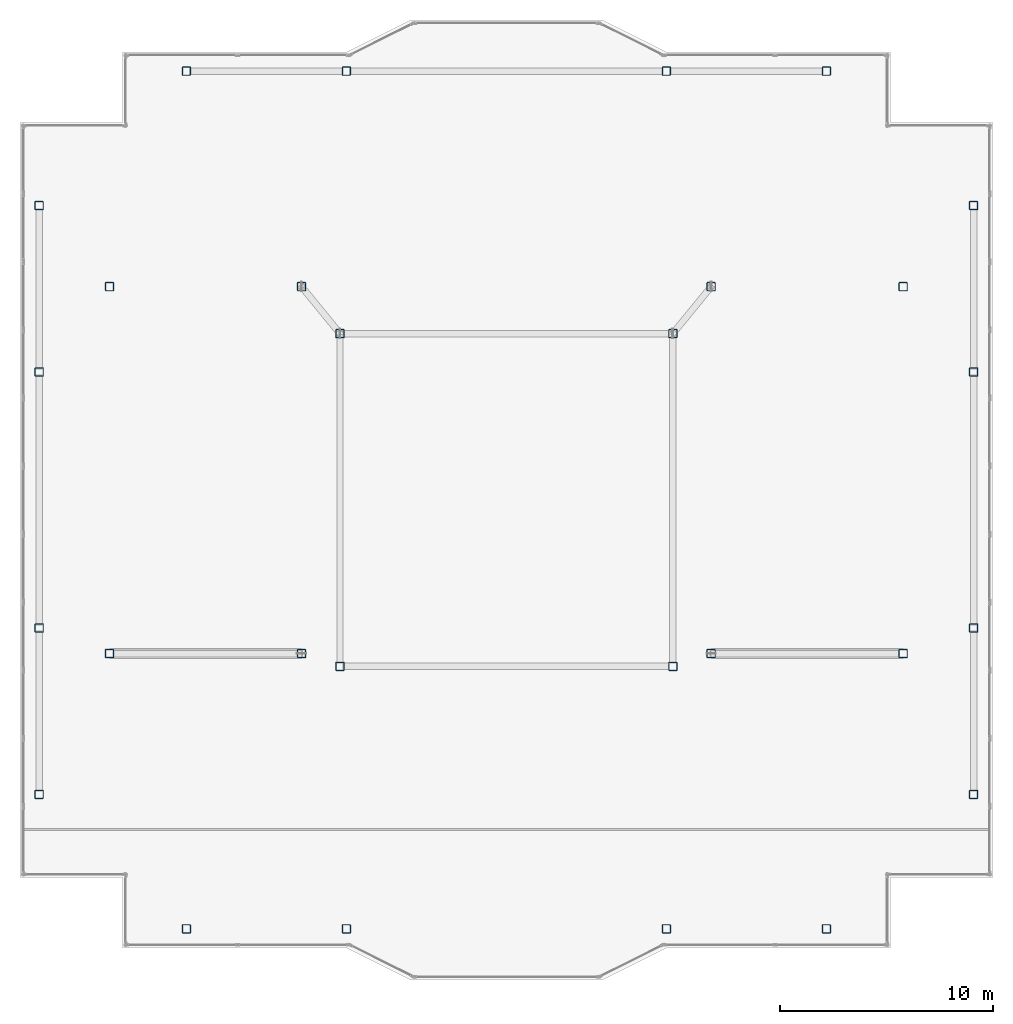
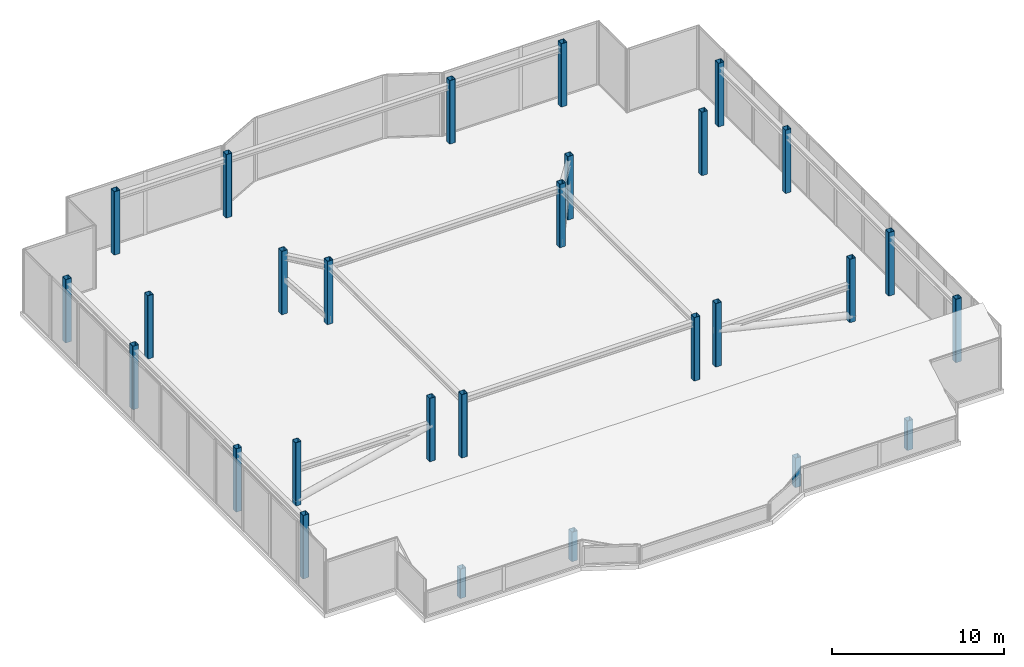
# One storey, part 1 of 16: 28 columns.
"""IFC4 building model written with IfcOpenShell, lengths in metres."""

from ifc_helpers import new_model, si_unit, direction, frame, origin, origin_2d, place, context, subcontext, project, spatial, hollow_rectangle, extrude, material, material_profile, profile_set, type_object, element, save


model = new_model("IFC4")

# Units and contexts
model_context = context("Model", 3, precision=1e-05, world=origin(), true_north=direction((0.0, 1.0)))
body_context = subcontext(model_context, "Body", "Model", "MODEL_VIEW")
ifc_project = project(units=[si_unit("LENGTHUNIT", "METRE"), si_unit("AREAUNIT", "SQUARE_METRE"), si_unit("VOLUMEUNIT", "CUBIC_METRE"), si_unit("PLANEANGLEUNIT", "RADIAN"), si_unit("MASSUNIT", "GRAM", prefix="KILO")], contexts=[model_context])

# Site, building, storey
site_placement = place(None, origin())
site = spatial("IfcSite", under=ifc_project, at=site_placement, CompositionType="ELEMENT")
building_placement = place(site_placement, origin())
building = spatial("IfcBuilding", under=site, at=building_placement, Name="Tarnavaz Court Tower", CompositionType="ELEMENT")
storey_placement = place(building_placement, frame((0.0, 0.0, 290.550048828125)))
storey = spatial("IfcBuildingStorey", under=building, at=storey_placement, Name="C03", CompositionType="ELEMENT", Elevation=290.550048828125)

# Columns
ifc_material = material(Name="Steel S355", Category="steel")
ifc_material_profile = material_profile(ifc_material, hollow_rectangle(XDim=0.39990234375, YDim=0.39990234375, WallThickness=0.02001953125, InnerFilletRadius=0.02001953125, OuterFilletRadius=0.0400390625, at=origin_2d()), Name="SHS 400X400X20")
ifc_profile_set = profile_set([ifc_material_profile], Name="Steel S355")
column_type = type_object("IfcColumnType", Name="CL-CR-SHS300", PredefinedType="USERDEFINED", material=ifc_profile_set)
for number, where, z_axis, x_axis, name in (
    (1, (-7.800048828125, -7.800048828125, 0.0), (0.0, 0.0, 1.0), (1.0, 0.0, 0.0), "C03 Column IW-SW"),
    (2, (7.800048828125, -7.800048828125, 0.0), (0.0, 0.0, 1.0), (1.0, 0.0, 0.0), "C03 Column IW-SE"),
    (3, (-7.800048828125, 7.800048828125, 0.0), (0.0, 0.0, 1.0), (1.0, 0.0, 0.0), "C03 Column IW-NW"),
    (4, (7.800048828125, 7.800048828125, 0.0), (0.0, 0.0, 1.0), (1.0, 0.0, 0.0), "C03 Column IW-NE"),
    (5, (-9.60009765625, -7.199951171875, 0.0), (0.0, 0.0, 1.0), (1.0, 0.0, 0.0), "C03 Column CW-SI"),
    (6, (-9.60009765625, 10.0, 0.0), (0.0, 0.0, 1.0), (1.0, 0.0, 0.0), "C03 Column CW-NI"),
    (7, (9.60009765625, -7.199951171875, 0.0), (0.0, 0.0, 1.0), (1.0, 0.0, 0.0), "C03 Column CE-SI"),
    (8, (9.60009765625, 10.0, 0.0), (0.0, 0.0, 1.0), (1.0, 0.0, 0.0), "C03 Column CE-NI"),
    (9, (-18.60009765625, -7.199951171875, 0.0), (0.0, 0.0, 1.0), (1.0, 0.0, 0.0), "C03 Column CW-SO"),
    (10, (-18.60009765625, 10.0, 0.0), (0.0, 0.0, 1.0), (1.0, 0.0, 0.0), "C03 Column CW-NO"),
    (11, (18.60009765625, -7.199951171875, 0.0), (0.0, 0.0, 1.0), (1.0, 0.0, 0.0), "C03 Column CE-SO"),
    (12, (18.60009765625, 10.0, 0.0), (0.0, 0.0, 1.0), (1.0, 0.0, 0.0), "C03 Column CE-NO"),
    (13, (-15.0, 20.10009765625, 0.0), (0.0, 0.0, 1.0), (1.0, 0.0, 0.0), "C03 Column PN-1"),
    (14, (-7.5, 20.10009765625, 0.0), (0.0, 0.0, 1.0), (1.0, 0.0, 0.0), "C03 Column PN-2"),
    (15, (7.5, 20.10009765625, 0.0), (0.0, 0.0, 1.0), (1.0, 0.0, 0.0), "C03 Column PN-3"),
    (16, (15.0, 20.10009765625, 0.0), (0.0, 0.0, 1.0), (1.0, 0.0, 0.0), "C03 Column PN-4"),
):
    element("IfcColumn", number, at=place(storey_placement, frame(where, z_axis=z_axis, x_axis=x_axis)), inside=storey, type_object=column_type, Name=name, ObjectType="CROWN FRAME", PredefinedType="USERDEFINED", context=body_context, shape_type="SweptSolid", body=[
        extrude(hollow_rectangle(XDim=0.39990234375, YDim=0.39990234375, WallThickness=0.02001953125, InnerFilletRadius=0.02001953125, OuterFilletRadius=0.0400390625, at=origin_2d()), origin(), (0.0, 0.0, 1.0), 4.5),
    ])
for number, where, z_axis, x_axis, name in (
    (17, (-15.0, -20.10009765625, 0.0), (0.0, 0.0, 1.0), (1.0, 0.0, 0.0), "C03 Column PS-1"),
    (18, (-7.5, -20.10009765625, 0.0), (0.0, 0.0, 1.0), (1.0, 0.0, 0.0), "C03 Column PS-2"),
    (19, (7.5, -20.10009765625, 0.0), (0.0, 0.0, 1.0), (1.0, 0.0, 0.0), "C03 Column PS-3"),
    (20, (15.0, -20.10009765625, 0.0), (0.0, 0.0, 1.0), (1.0, 0.0, 0.0), "C03 Column PS-4"),
):
    element("IfcColumn", number, at=place(storey_placement, frame(where, z_axis=z_axis, x_axis=x_axis)), inside=storey, type_object=column_type, Name=name, ObjectType="CROWN FRAME", PredefinedType="USERDEFINED", context=body_context, shape_type="SweptSolid", body=[
        extrude(hollow_rectangle(XDim=0.39990234375, YDim=0.39990234375, WallThickness=0.02001953125, InnerFilletRadius=0.02001953125, OuterFilletRadius=0.0400390625, at=origin_2d()), origin(), (0.0, 0.0, 1.0), 2.09716796875),
    ])
for number, where, z_axis, x_axis, name in (
    (21, (21.89990234375, -13.800048828125, 0.0), (0.0, 0.0, 1.0), (1.0, 0.0, 0.0), "C03 Column PE-1"),
    (22, (21.89990234375, -6.0, 0.0), (0.0, 0.0, 1.0), (1.0, 0.0, 0.0), "C03 Column PE-2"),
    (23, (21.89990234375, 6.0, 0.0), (0.0, 0.0, 1.0), (1.0, 0.0, 0.0), "C03 Column PE-3"),
    (24, (21.89990234375, 13.800048828125, 0.0), (0.0, 0.0, 1.0), (1.0, 0.0, 0.0), "C03 Column PE-4"),
    (25, (-21.89990234375, -13.800048828125, 0.0), (0.0, 0.0, 1.0), (1.0, 0.0, 0.0), "C03 Column PW-1"),
    (26, (-21.89990234375, -6.0, 0.0), (0.0, 0.0, 1.0), (1.0, 0.0, 0.0), "C03 Column PW-2"),
    (27, (-21.89990234375, 6.0, 0.0), (0.0, 0.0, 1.0), (1.0, 0.0, 0.0), "C03 Column PW-3"),
    (28, (-21.89990234375, 13.800048828125, 0.0), (0.0, 0.0, 1.0), (1.0, 0.0, 0.0), "C03 Column PW-4"),
):
    element("IfcColumn", number, at=place(storey_placement, frame(where, z_axis=z_axis, x_axis=x_axis)), inside=storey, type_object=column_type, Name=name, ObjectType="CROWN FRAME", PredefinedType="USERDEFINED", context=body_context, shape_type="SweptSolid", body=[
        extrude(hollow_rectangle(XDim=0.39990234375, YDim=0.39990234375, WallThickness=0.02001953125, InnerFilletRadius=0.02001953125, OuterFilletRadius=0.0400390625, at=origin_2d()), origin(), (0.0, 0.0, 1.0), 4.5),
    ])

save(model, "model.ifc")
